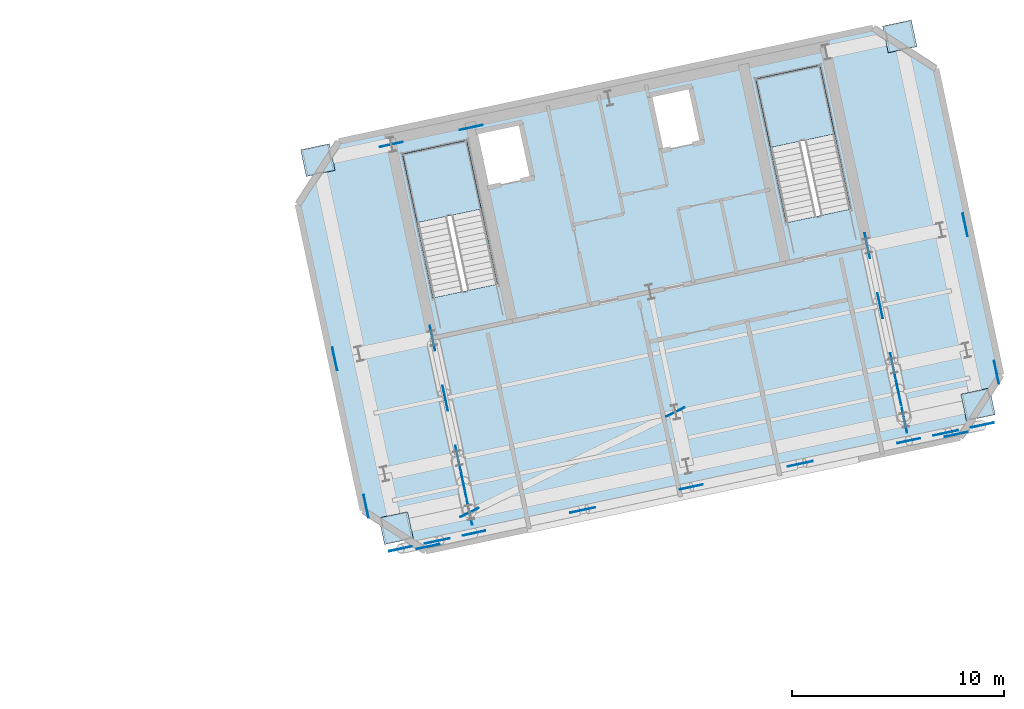
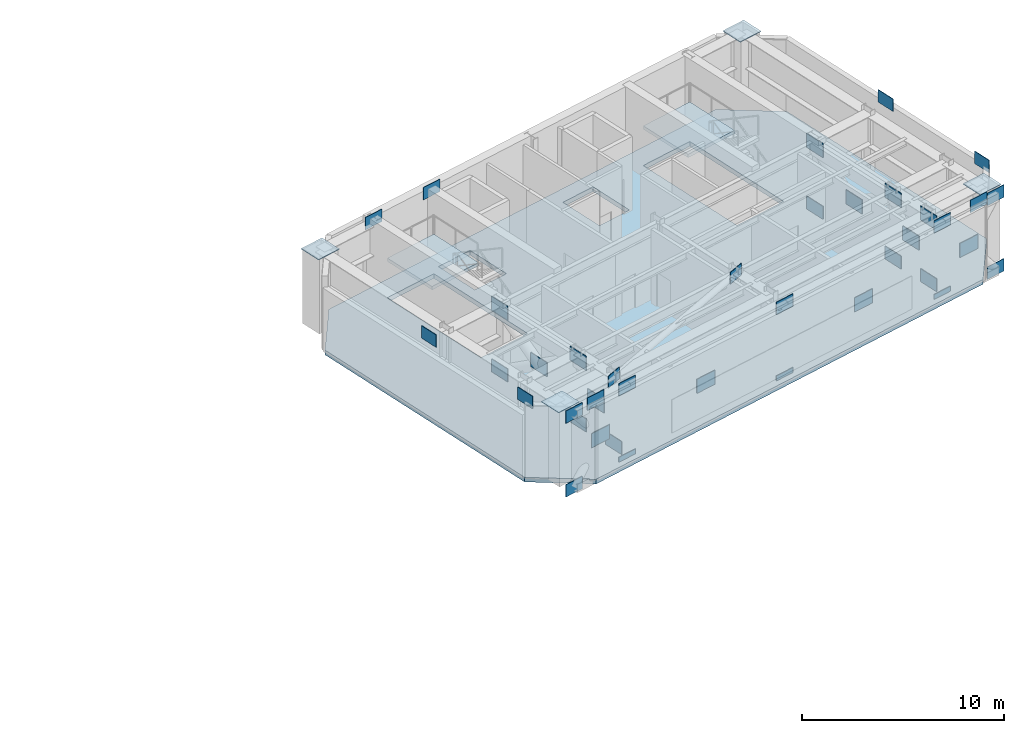
# One storey, part 7 of 15: 43 plates, 3 slabs, 2 elements without a shape of their own.
"""IFC4 building model written with IfcOpenShell, lengths in metres."""

from ifc_helpers import new_model, si_unit, direction, frame, origin, origin_2d, place, context, subcontext, project, spatial, polyline, rectangle, outline, extrude, material, layer, layer_set, type_object, element, aggregate, save


model = new_model("IFC4")

# Units and contexts
model_context = context("Model", 3, precision=1e-05, world=origin(), true_north=direction((0.0, 1.0)))
body_context = subcontext(model_context, "Body", "Model", "MODEL_VIEW")
ifc_project = project(units=[si_unit("LENGTHUNIT", "METRE"), si_unit("AREAUNIT", "SQUARE_METRE"), si_unit("VOLUMEUNIT", "CUBIC_METRE"), si_unit("PLANEANGLEUNIT", "RADIAN"), si_unit("MASSUNIT", "GRAM", prefix="KILO")], contexts=[model_context])

# Site, building, storey
site_placement = place(None, origin())
site = spatial("IfcSite", under=ifc_project, at=site_placement, CompositionType="ELEMENT")
building_placement = place(site_placement, origin())
building = spatial("IfcBuilding", under=site, at=building_placement, Name="Haevon Station Towers", CompositionType="ELEMENT")
storey_placement = place(building_placement, frame((0.0, 0.0, 192.300048828125)))
storey = spatial("IfcBuildingStorey", under=building, at=storey_placement, Name="L53", CompositionType="ELEMENT", Elevation=192.300048828125)

# Plates
ifc_material_1 = material(Name="PL-FLG1", Category="steel")
ifc_layer_1 = layer(ifc_material_1, 0.044921875)
ifc_layer_set_1 = layer_set([ifc_layer_1], Name="PL-FLG1")
plate_type_1 = type_object("IfcPlateType", Name="PL-FLG1", PredefinedType="USERDEFINED", material=ifc_layer_set_1)
for number, where, z_axis, x_axis, name in (
    (1, (97.030517578125, 28.46826171875, 4.5), (0.0, 0.0, 1.0), (0.978147600734, 0.207911690818, 0.0), "PL-CAP-T2-L53-01-01"),
    (2, (93.3359375, 45.85009765625, 4.5), (0.0, 0.0, 1.0), (0.978147600734, 0.207911690818, 0.0), "PL-CAP-T2-L53-01-04"),
    (3, (124.5166015625, 34.310546875, 4.5), (0.0, 0.0, 1.0), (0.978147600734, 0.207911690818, 0.0), "PL-CAP-T2-L53-05-01"),
    (4, (120.822021484375, 51.6923828125, 4.5), (0.0, 0.0, 1.0), (0.978147600734, 0.207911690818, 0.0), "PL-CAP-T2-L53-05-04"),
):
    element("IfcPlate", number, at=place(storey_placement, frame(where, z_axis=z_axis, x_axis=x_axis)), inside=storey, type_object=plate_type_1, Name=name, ObjectType="FLANGE_PLATE", PredefinedType="USERDEFINED", context=body_context, shape_type="SweptSolid", body=[
        extrude(rectangle(XDim=1.389892578125, YDim=1.2900390625, at=origin_2d()), origin(), (0.0, 0.0, 1.0), 0.0400390625),
    ])
ifc_material_2 = material(Name="PL-FLG2", Category="steel")
ifc_layer_2 = layer(ifc_material_2, 0.035888671875)
ifc_layer_set_2 = layer_set([ifc_layer_2], Name="PL-FLG2")
plate_type_2 = type_object("IfcPlateType", Name="PL-FLG2", PredefinedType="USERDEFINED", material=ifc_layer_set_2)
for number, where, z_axis, x_axis, name in (
    (5, (100.5029296875, 29.206298828125, 3.98974609375), (0.0, 0.0, 1.0), (0.898712930108, 0.438537420589, 0.0), "PL-T2TIE-L53-E1"),
    (6, (110.228759765625, 33.9521484375, 3.98974609375), (0.0, 0.0, 1.0), (0.898712930108, 0.438537420589, 0.0), "PL-T2TIE-L53-E2"),
):
    element("IfcPlate", number, at=place(storey_placement, frame(where, z_axis=z_axis, x_axis=x_axis)), inside=storey, type_object=plate_type_2, Name=name, ObjectType="FLANGE_PLATE", PredefinedType="USERDEFINED", context=body_context, shape_type="SweptSolid", body=[
        extrude(rectangle(XDim=0.949951171875, YDim=0.035888671875, at=origin_2d()), origin(), (0.0, 0.0, 1.0), 0.699951171875),
    ])
ifc_material_3 = material(Name="PL-GUS2", Category="steel")
ifc_layer_3 = layer(ifc_material_3, 0.031982421875)
ifc_layer_set_3 = layer_set([ifc_layer_3], Name="PL-GUS2")
plate_type_3 = type_object("IfcPlateType", Name="PL-GUS2", PredefinedType="USERDEFINED", material=ifc_layer_set_3)
for number, where, z_axis, x_axis, name in (
    (7, (100.230712890625, 30.48779296875, 1.824951171875), (0.0, 0.0, 1.0), (-0.207911690818, 0.978147600734, 0.0), "PL-T2OUTX-L53-1-1"),
    (8, (99.355224609375, 34.605712890625, 1.824951171875), (0.0, 0.0, 1.0), (-0.207911690818, 0.978147600734, 0.0), "PL-T2OUTX-L53-1-2"),
    (9, (100.5029296875, 29.206298828125, -0.0751953125), (0.0, 0.0, 1.0), (-0.207911690818, 0.978147600734, 0.0), "PL-T2OUTGUS-L53-1-1B"),
    (10, (99.958251953125, 31.76904296875, -0.0751953125), (0.0, 0.0, 1.0), (-0.207911690818, 0.978147600734, 0.0), "PL-T2OUTGUS-L53-1-2B"),
    (11, (99.958251953125, 31.76904296875, 3.724853515625), (0.0, 0.0, 1.0), (-0.207911690818, 0.978147600734, 0.0), "PL-T2OUTGUS-L53-1-2T"),
    (12, (98.75244140625, 37.4423828125, -0.0751953125), (0.0, 0.0, 1.0), (-0.207911690818, 0.978147600734, 0.0), "PL-T2OUTGUS-L53-1-3B"),
    (13, (98.75244140625, 37.4423828125, 3.724853515625), (0.0, 0.0, 1.0), (-0.207911690818, 0.978147600734, 0.0), "PL-T2OUTGUS-L53-1-3T"),
    (14, (120.771728515625, 34.85400390625, 1.824951171875), (0.0, 0.0, 1.0), (-0.207911690818, 0.978147600734, 0.0), "PL-T2OUTX-L53-2-1"),
    (15, (119.896484375, 38.971923828125, 1.824951171875), (0.0, 0.0, 1.0), (-0.207911690818, 0.978147600734, 0.0), "PL-T2OUTX-L53-2-2"),
    (16, (121.0439453125, 33.572509765625, -0.0751953125), (0.0, 0.0, 1.0), (-0.207911690818, 0.978147600734, 0.0), "PL-T2OUTGUS-L53-2-1B"),
    (17, (121.0439453125, 33.572509765625, 3.724853515625), (0.0, 0.0, 1.0), (-0.207911690818, 0.978147600734, 0.0), "PL-T2OUTGUS-L53-2-1T"),
    (18, (120.499267578125, 36.13525390625, -0.0751953125), (0.0, 0.0, 1.0), (-0.207911690818, 0.978147600734, 0.0), "PL-T2OUTGUS-L53-2-2B"),
    (19, (120.499267578125, 36.13525390625, 3.724853515625), (0.0, 0.0, 1.0), (-0.207911690818, 0.978147600734, 0.0), "PL-T2OUTGUS-L53-2-2T"),
    (20, (119.29345703125, 41.80859375, -0.0751953125), (0.0, 0.0, 1.0), (-0.207911690818, 0.978147600734, 0.0), "PL-T2OUTGUS-L53-2-3B"),
    (21, (119.29345703125, 41.80859375, 3.724853515625), (0.0, 0.0, 1.0), (-0.207911690818, 0.978147600734, 0.0), "PL-T2OUTGUS-L53-2-3T"),
    (22, (98.974609375, 27.859130859375, 1.724853515625), (0.0, 0.0, 1.0), (0.978147600734, 0.207911690818, 0.0), "PL-T2BLTX-L53-1"),
    (23, (105.84619140625, 29.31982421875, 1.724853515625), (0.0, 0.0, 1.0), (0.978147600734, 0.207911690818, 0.0), "PL-T2BLTX-L53-2"),
    (24, (116.11669921875, 31.5029296875, 1.724853515625), (0.0, 0.0, 1.0), (0.978147600734, 0.207911690818, 0.0), "PL-T2BLTX-L53-3"),
    (25, (122.98828125, 32.96337890625, 1.724853515625), (0.0, 0.0, 1.0), (0.978147600734, 0.207911690818, 0.0), "PL-T2BLTX-L53-4"),
):
    element("IfcPlate", number, at=place(storey_placement, frame(where, z_axis=z_axis, x_axis=x_axis)), inside=storey, type_object=plate_type_3, Name=name, ObjectType="GUSSET_PLATE", PredefinedType="USERDEFINED", context=body_context, shape_type="SweptSolid", body=[
        extrude(rectangle(XDim=1.199951171875, YDim=0.031982421875, at=origin_2d()), origin(), (0.0, 0.0, 1.0), 0.85009765625),
    ])
ifc_material_4 = material(Name="PL-SPL1", Category="steel")
ifc_layer_4 = layer(ifc_material_4, 0.031982421875)
ifc_layer_set_4 = layer_set([ifc_layer_4], Name="PL-SPL1")
plate_type_4 = type_object("IfcPlateType", Name="PL-SPL1", PredefinedType="USERDEFINED", material=ifc_layer_set_4)
for number, where, z_axis, x_axis, name in (
    (26, (98.54541015625, 27.59423828125, 4.27490234375), (0.0, 0.0, 1.0), (0.978147600734, 0.207911690818, 0.0), "PL-T2SPL-T07-S-3"),
    (27, (123.488037109375, 32.89599609375, 4.27490234375), (0.0, 0.0, 1.0), (0.978147600734, 0.207911690818, 0.0), "PL-T2SPL-T07-S-4"),
    (28, (96.808349609375, 46.588134765625, 4.27490234375), (0.0, 0.0, 1.0), (0.978147600734, 0.207911690818, 0.0), "PL-T2SPL-T07-N-3"),
    (29, (100.57421875, 47.388671875, 4.27490234375), (0.0, 0.0, 1.0), (0.978147600734, 0.207911690818, 0.0), "PL-T2SPL-T07-N-4"),
    (30, (95.61572265625, 29.49658203125, 4.27490234375), (0.0, 0.0, 1.0), (-0.207911690818, 0.978147600734, 0.0), "PL-T2SPL-T07-W-3"),
    (31, (94.135498046875, 36.461181640625, 4.27490234375), (0.0, 0.0, 1.0), (-0.207911690818, 0.978147600734, 0.0), "PL-T2SPL-T07-W-4"),
    (32, (125.390625, 35.825439453125, 4.27490234375), (0.0, 0.0, 1.0), (-0.207911690818, 0.978147600734, 0.0), "PL-T2SPL-T07-E-3"),
    (33, (123.910400390625, 42.789794921875, 4.27490234375), (0.0, 0.0, 1.0), (-0.207911690818, 0.978147600734, 0.0), "PL-T2SPL-T07-E-4"),
    (34, (97.238525390625, 27.490234375, -0.455078125), (0.0, 0.0, 1.0), (0.978147600734, 0.207911690818, 0.0), "PL-T2BLTN-L53-1B"),
    (35, (97.238525390625, 27.490234375, 4.0048828125), (0.0, 0.0, 1.0), (0.978147600734, 0.207911690818, 0.0), "PL-T2BLTN-L53-1T"),
    (36, (100.7109375, 28.228271484375, -0.455078125), (0.0, 0.0, 1.0), (0.978147600734, 0.207911690818, 0.0), "PL-T2BLTN-L53-2B"),
    (37, (100.7109375, 28.228271484375, 4.0048828125), (0.0, 0.0, 1.0), (0.978147600734, 0.207911690818, 0.0), "PL-T2BLTN-L53-2T"),
    (38, (110.9814453125, 30.411376953125, -0.455078125), (0.0, 0.0, 1.0), (0.978147600734, 0.207911690818, 0.0), "PL-T2BLTN-L53-3B"),
    (39, (110.9814453125, 30.411376953125, 4.0048828125), (0.0, 0.0, 1.0), (0.978147600734, 0.207911690818, 0.0), "PL-T2BLTN-L53-3T"),
    (40, (121.251953125, 32.594482421875, -0.455078125), (0.0, 0.0, 1.0), (0.978147600734, 0.207911690818, 0.0), "PL-T2BLTN-L53-4B"),
    (41, (121.251953125, 32.594482421875, 4.0048828125), (0.0, 0.0, 1.0), (0.978147600734, 0.207911690818, 0.0), "PL-T2BLTN-L53-4T"),
    (42, (124.724365234375, 33.33251953125, -0.455078125), (0.0, 0.0, 1.0), (0.978147600734, 0.207911690818, 0.0), "PL-T2BLTN-L53-5B"),
    (43, (124.724365234375, 33.33251953125, 4.0048828125), (0.0, 0.0, 1.0), (0.978147600734, 0.207911690818, 0.0), "PL-T2BLTN-L53-5T"),
):
    element("IfcPlate", number, at=place(storey_placement, frame(where, z_axis=z_axis, x_axis=x_axis)), inside=storey, type_object=plate_type_4, Name=name, ObjectType="SPLICE_PLATE", PredefinedType="USERDEFINED", context=body_context, shape_type="SweptSolid", body=[
        extrude(rectangle(XDim=1.10009765625, YDim=0.031982421875, at=origin_2d()), origin(), (0.0, 0.0, 1.0), 0.75),
    ])

# Stair, slab
ifc_material_5 = material(Name="Concrete C40/50", Category="concrete")
stair_type = type_object("IfcStairType", Name="STR-DL1450", PredefinedType="USERDEFINED", material=ifc_material_5)
stair_1_placement = place(storey_placement, origin())
stair_1 = element("IfcStair", 44, at=stair_1_placement, inside=storey, type_object=stair_type, Name="L53 Escape Stair ST3", ObjectType="TWO_RETURN_STAIR", PredefinedType="USERDEFINED")
ifc_layer_5 = layer(ifc_material_5, 0.199951171875)
ifc_layer_set_5 = layer_set([ifc_layer_5], Name="Concrete C40/50")
slab_type_1 = type_object("IfcSlabType", Name="SL-LND200", PredefinedType="LANDING", material=ifc_layer_set_5)
slab_1_placement = place(storey_placement, frame((0.0, 0.0, 2.199951171875)))
slab_1 = element("IfcSlab", 45, at=slab_1_placement, type_object=slab_type_1, Name="L53 ST3 Half Landing 1", PredefinedType="LANDING", context=body_context, shape_type="SweptSolid", body=[
    extrude(outline(polyline([(101.05517578125, 43.538330078125), (100.36572265625, 46.781982421875), (97.33349609375, 46.137451171875), (98.02294921875, 42.893798828125), (101.05517578125, 43.538330078125)])), origin(), (0.0, 0.0, 1.0), 0.199951171875),
])
aggregate(stair_1, [slab_1])

stair_2_placement = place(storey_placement, origin())
stair_2 = element("IfcStair", 46, at=stair_2_placement, inside=storey, type_object=stair_type, Name="L53 Escape Stair ST4", ObjectType="TWO_RETURN_STAIR", PredefinedType="USERDEFINED")
slab_2_placement = place(storey_placement, frame((0.0, 0.0, 2.199951171875)))
slab_2 = element("IfcSlab", 47, at=slab_2_placement, type_object=slab_type_1, Name="L53 ST4 Half Landing 1", PredefinedType="LANDING", context=body_context, shape_type="SweptSolid", body=[
    extrude(outline(polyline([(117.742431640625, 47.08544921875), (117.052978515625, 50.328857421875), (114.020751953125, 49.684326171875), (114.710205078125, 46.44091796875), (117.742431640625, 47.08544921875)])), origin(), (0.0, 0.0, 1.0), 0.199951171875),
])
aggregate(stair_2, [slab_2])

# Slab
ifc_layer_6 = layer(ifc_material_5, 0.280029296875)
ifc_layer_set_6 = layer_set([ifc_layer_6], Name="Concrete C40/50")
slab_type_2 = type_object("IfcSlabType", Name="SL-REF280", PredefinedType="FLOOR", material=ifc_layer_set_6)
slab_3_placement = place(storey_placement, frame((0.0, 0.0, -0.280029296875)))
element("IfcSlab", 48, at=slab_3_placement, inside=storey, type_object=slab_type_2, Name="SL-T2-L53", PredefinedType="FLOOR", context=body_context, shape_type="SweptSolid", body=[
    extrude(outline(polyline([(98.43603515625, 27.386962890625), (123.67236328125, 32.7509765625), (125.597900390625, 35.71630859375), (122.527099609375, 50.163330078125), (119.561767578125, 52.089111328125), (94.32568359375, 46.724853515625), (92.400146484375, 43.759765625), (95.470947265625, 29.3125), (98.43603515625, 27.386962890625)]), holes=[polyline([(101.8095703125, 39.98974609375), (100.36572265625, 46.781982421875), (97.33349609375, 46.137451171875), (98.77734375, 39.34521484375), (101.8095703125, 39.98974609375)]), polyline([(118.496826171875, 43.53662109375), (117.052978515625, 50.328857421875), (114.020751953125, 49.684326171875), (115.464599609375, 42.89208984375), (118.496826171875, 43.53662109375)]), polyline([(101.43212890625, 44.554931640625), (103.486328125, 44.99169921875), (102.9248046875, 47.632568359375), (100.870849609375, 47.196044921875), (101.43212890625, 44.554931640625)]), polyline([(109.55078125, 46.28076171875), (111.507080078125, 46.696533203125), (110.94580078125, 49.33740234375), (108.989501953125, 48.921630859375), (109.55078125, 46.28076171875)])]), origin(), (0.0, 0.0, 1.0), 0.280029296875),
])

save(model, "model.ifc")
